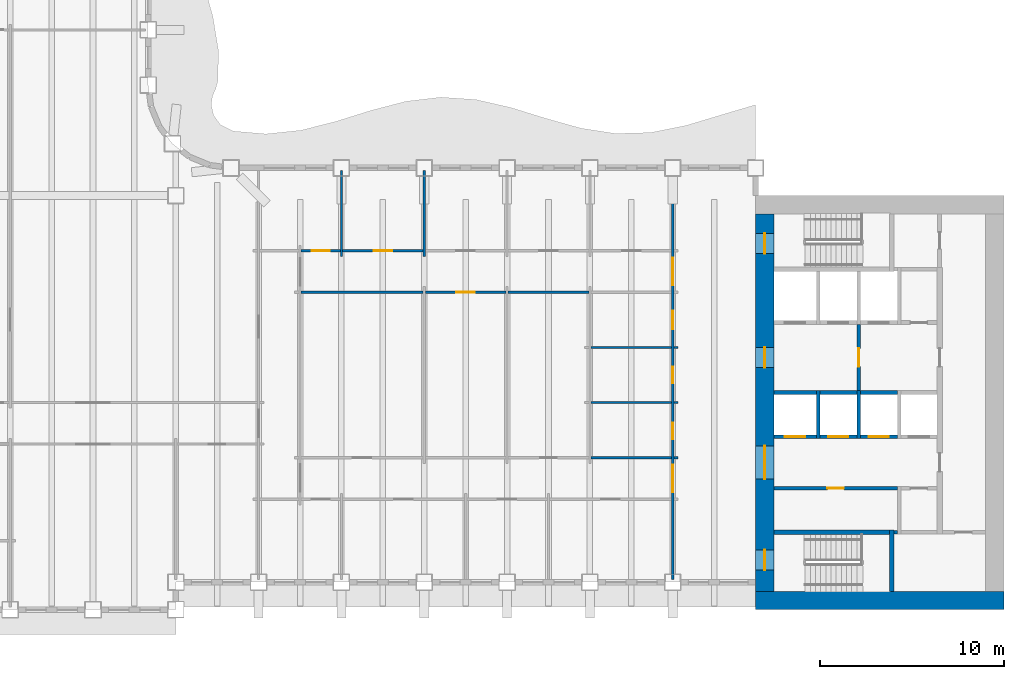
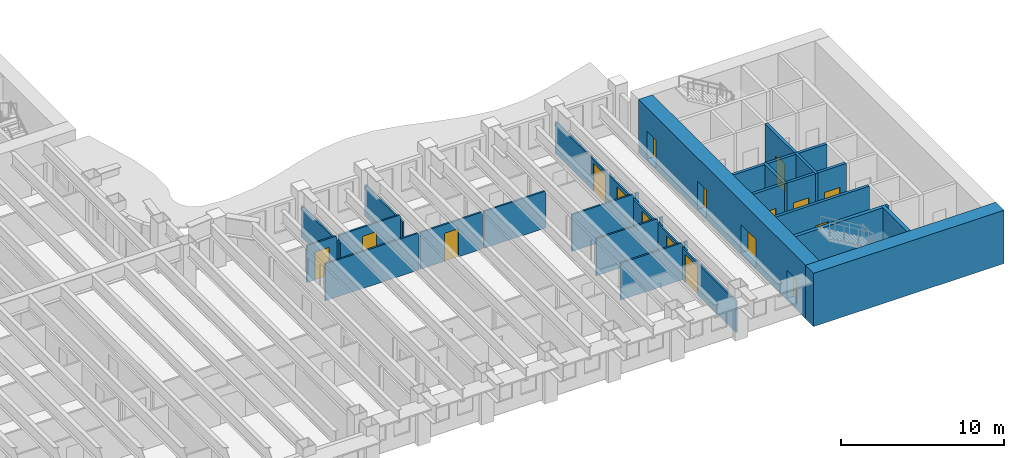
# One storey, part 6 of 16: 29 walls, 17 doors, 17 openings.
"""IFC4 building model written with IfcOpenShell, lengths in metres."""

from ifc_helpers import new_model, si_unit, direction, frame, frame_2d, origin, place, context, subcontext, project, spatial, rectangle, extrude, material, layer, layer_set, type_object, element, fill, save


model = new_model("IFC4")

# Units and contexts
model_context = context("Model", 3, precision=1e-05, world=origin(), true_north=direction((0.0, 1.0)))
body_context = subcontext(model_context, "Body", "Model", "MODEL_VIEW")
ifc_project = project(units=[si_unit("LENGTHUNIT", "METRE"), si_unit("AREAUNIT", "SQUARE_METRE"), si_unit("VOLUMEUNIT", "CUBIC_METRE"), si_unit("PLANEANGLEUNIT", "RADIAN"), si_unit("MASSUNIT", "GRAM", prefix="KILO")], contexts=[model_context])

# Site, building, storey
site_placement = place(None, origin())
site = spatial("IfcSite", under=ifc_project, at=site_placement, CompositionType="ELEMENT")
building_placement = place(site_placement, origin())
building = spatial("IfcBuilding", under=site, at=building_placement, Name="Sennacour Bend Tower", CompositionType="ELEMENT")
storey_placement = place(building_placement, frame((0.0, 0.0, 183.0)))
storey = spatial("IfcBuildingStorey", under=building, at=storey_placement, Name="L42", CompositionType="ELEMENT", Elevation=183.0)

# Wall
ifc_material_1 = material(Name="Concrete C60/75", Category="concrete")
ifc_layer_1 = layer(ifc_material_1, 1.0, Name="Concrete C60/75", Category="concrete")
ifc_layer_set_1 = layer_set([ifc_layer_1], Name="Concrete C60/75")
wall_type_1 = type_object("IfcWallType", Name="Core wall 1000 C60/75", PredefinedType="SHEAR", material=ifc_layer_set_1)
wall_1_placement = place(storey_placement, frame((67.5, 0.5, -0.14990234375), z_axis=(0.0, 0.0, 1.0), x_axis=(-1.0, 0.0, 0.0)))
element("IfcWall", 1, at=wall_1_placement, inside=storey, type_object=wall_type_1, Name="Core A wall L42 S", PredefinedType="SHEAR", context=body_context, shape_type="SweptSolid", body=[
    extrude(rectangle(XDim=13.5, YDim=1.0, at=frame_2d((6.75, 0.0))), origin(), (0.0, 0.0, 1.0), 4.0),
])

# Wall, openings, doors
wall_2_placement = place(storey_placement, frame((54.5, 1.0, -0.14990234375), z_axis=(0.0, 0.0, 1.0), x_axis=(0.0, 1.0, 0.0)))
wall_2 = element("IfcWall", 2, at=wall_2_placement, inside=storey, type_object=wall_type_1, Name="Core A wall L42 W", PredefinedType="SHEAR", context=body_context, shape_type="SweptSolid", body=[
    extrude(rectangle(XDim=20.5, YDim=1.0, at=frame_2d((10.25, 0.0))), origin(), (0.0, 0.0, 1.0), 4.0),
])
opening_1_placement = place(wall_2_placement, frame((6.10009765625, 0.0, 0.14990234375)))
opening_1 = element("IfcOpeningElement", 3, at=opening_1_placement, cuts=wall_2, Name="Opening CD", PredefinedType="OPENING", context=body_context, shape_type="SweptSolid", body=[
    extrude(rectangle(XDim=1.800048828125, YDim=2.10009765625, at=frame_2d((0.89990234375, 1.050048828125))), frame((0.0, 0.510009765625, 0.0), z_axis=(0.0, -1.0, 0.0), x_axis=(1.0, 0.0, 0.0)), (0.0, 0.0, 1.0), 1.02001953125),
])
opening_2_placement = place(wall_2_placement, frame((12.14990234375, 0.0, 0.14990234375)))
opening_2 = element("IfcOpeningElement", 4, at=opening_2_placement, cuts=wall_2, Name="Opening FD", PredefinedType="OPENING", context=body_context, shape_type="SweptSolid", body=[
    extrude(rectangle(XDim=1.10009765625, YDim=2.10009765625, at=frame_2d((0.550048828125, 1.050048828125))), frame((0.0, 0.510009765625, 0.0), z_axis=(0.0, -1.0, 0.0), x_axis=(1.0, 0.0, 0.0)), (0.0, 0.0, 1.0), 1.02001953125),
])
opening_3_placement = place(wall_2_placement, frame((1.14990234375, 0.0, 0.14990234375)))
opening_3 = element("IfcOpeningElement", 5, at=opening_3_placement, cuts=wall_2, Name="Opening SD", PredefinedType="OPENING", context=body_context, shape_type="SweptSolid", body=[
    extrude(rectangle(XDim=1.10009765625, YDim=2.10009765625, at=frame_2d((0.550048828125, 1.050048828125))), frame((0.0, 0.510009765625, 0.0), z_axis=(0.0, -1.0, 0.0), x_axis=(1.0, 0.0, 0.0)), (0.0, 0.0, 1.0), 1.02001953125),
])
opening_4_placement = place(wall_2_placement, frame((18.35009765625, 0.0, 0.14990234375)))
opening_4 = element("IfcOpeningElement", 6, at=opening_4_placement, cuts=wall_2, Name="Opening SD", PredefinedType="OPENING", context=body_context, shape_type="SweptSolid", body=[
    extrude(rectangle(XDim=1.10009765625, YDim=2.10009765625, at=frame_2d((0.550048828125, 1.050048828125))), frame((0.0, 0.510009765625, 0.0), z_axis=(0.0, -1.0, 0.0), x_axis=(1.0, 0.0, 0.0)), (0.0, 0.0, 1.0), 1.02001953125),
])
ifc_material_2 = material(Name="Painted steel", Category="steel")
door_type_1 = type_object("IfcDoorType", Name="DR-FFL-1100", OperationType="NOTDEFINED", PredefinedType="DOOR", material=ifc_material_2)
door_1_placement = place(opening_2_placement, origin())
door_1 = element("IfcDoor", 7, at=door_1_placement, inside=storey, type_object=door_type_1, Name="Door", OperationType="SINGLE_SWING_RIGHT", OverallHeight=2.10009765625, OverallWidth=1.10009765625, PredefinedType="DOOR", context=body_context, shape_type="SweptSolid", body=[
    extrude(rectangle(XDim=1.10009765625, YDim=2.10009765625, at=frame_2d((0.550048828125, 1.050048828125))), frame((0.0, 0.02490234375, 0.0), z_axis=(0.0, -1.0, 0.0), x_axis=(1.0, 0.0, 0.0)), (0.0, 0.0, 1.0), 0.050048828125),
])
fill(opening_2, door_1)
door_type_2 = type_object("IfcDoorType", Name="DR-LOBBY-1800", OperationType="NOTDEFINED", PredefinedType="DOOR", material=ifc_material_2)
door_2_placement = place(opening_1_placement, origin())
door_2 = element("IfcDoor", 8, at=door_2_placement, inside=storey, type_object=door_type_2, Name="Door", OperationType="DOUBLE_DOOR_SINGLE_SWING", OverallHeight=2.10009765625, OverallWidth=1.800048828125, PredefinedType="DOOR", context=body_context, shape_type="SweptSolid", body=[
    extrude(rectangle(XDim=1.800048828125, YDim=2.10009765625, at=frame_2d((0.89990234375, 1.050048828125))), frame((0.0, 0.02490234375, 0.0), z_axis=(0.0, -1.0, 0.0), x_axis=(1.0, 0.0, 0.0)), (0.0, 0.0, 1.0), 0.050048828125),
])
fill(opening_1, door_2)
door_type_3 = type_object("IfcDoorType", Name="DR-STAIR-1100", OperationType="NOTDEFINED", PredefinedType="DOOR", material=ifc_material_2)
door_3_placement = place(opening_3_placement, origin())
door_3 = element("IfcDoor", 9, at=door_3_placement, inside=storey, type_object=door_type_3, Name="Door", OperationType="SINGLE_SWING_LEFT", OverallHeight=2.10009765625, OverallWidth=1.10009765625, PredefinedType="DOOR", context=body_context, shape_type="SweptSolid", body=[
    extrude(rectangle(XDim=1.10009765625, YDim=2.10009765625, at=frame_2d((0.550048828125, 1.050048828125))), frame((0.0, 0.02490234375, 0.0), z_axis=(0.0, -1.0, 0.0), x_axis=(1.0, 0.0, 0.0)), (0.0, 0.0, 1.0), 0.050048828125),
])
fill(opening_3, door_3)
door_4_placement = place(opening_4_placement, origin())
door_4 = element("IfcDoor", 10, at=door_4_placement, inside=storey, type_object=door_type_3, Name="Door", OperationType="SINGLE_SWING_RIGHT", OverallHeight=2.10009765625, OverallWidth=1.10009765625, PredefinedType="DOOR", context=body_context, shape_type="SweptSolid", body=[
    extrude(rectangle(XDim=1.10009765625, YDim=2.10009765625, at=frame_2d((0.550048828125, 1.050048828125))), frame((0.0, 0.02490234375, 0.0), z_axis=(0.0, -1.0, 0.0), x_axis=(1.0, 0.0, 0.0)), (0.0, 0.0, 1.0), 0.050048828125),
])
fill(opening_4, door_4)

# Walls
ifc_material_3 = material(Name="Plasterboard partition on steel studs", Category="steel")
ifc_layer_2 = layer(ifc_material_3, 0.1201171875, Name="Plasterboard partition on steel studs", Category="steel")
ifc_layer_set_2 = layer_set([ifc_layer_2], Name="Plasterboard partition on steel studs")
wall_type_2 = type_object("IfcWallType", Name="Partition 120", PredefinedType="PARTITIONING", material=ifc_layer_set_2)
for number, where, z_axis, x_axis, name in (
    (11, (31.5, 19.199951171875, 0.0), (0.0, 0.0, 1.0), (0.0, 1.0, 0.0), "P-L42-W025a"),
    (12, (36.0, 19.199951171875, 0.0), (0.0, 0.0, 1.0), (0.0, 1.0, 0.0), "P-L42-W027a"),
):
    element("IfcWall", number, at=place(storey_placement, frame(where, z_axis=z_axis, x_axis=x_axis)), inside=storey, type_object=wall_type_2, Name=name, PredefinedType="PARTITIONING", context=body_context, shape_type="SweptSolid", body=[
        extrude(rectangle(XDim=4.650146484375, YDim=0.1201171875, at=frame_2d((2.3251953125, 0.0))), origin(), (0.0, 0.0, 1.0), 2.35009765625),
    ])
wall_3_placement = place(storey_placement, frame((45.06005859375, 8.25, 0.0), z_axis=(0.0, 0.0, 1.0), x_axis=(1.0, 0.0, 0.0)))
element("IfcWall", 13, at=wall_3_placement, inside=storey, type_object=wall_type_2, Name="P-L42-W058ae", PredefinedType="PARTITIONING", context=body_context, shape_type="SweptSolid", body=[
    extrude(rectangle(XDim=4.3798828125, YDim=0.1201171875, at=frame_2d((2.18994140625, 0.0))), origin(), (0.0, 0.0, 1.0), 2.77001953125),
])
wall_4_placement = place(storey_placement, frame((49.56005859375, 8.25, 0.0), z_axis=(0.0, 0.0, 1.0), x_axis=(1.0, 0.0, 0.0)))
element("IfcWall", 14, at=wall_4_placement, inside=storey, type_object=wall_type_2, Name="P-L42-W058af", PredefinedType="PARTITIONING", context=body_context, shape_type="SweptSolid", body=[
    extrude(rectangle(XDim=0.239990234375, YDim=0.1201171875, at=frame_2d((0.1201171875, 0.0))), origin(), (0.0, 0.0, 1.0), 2.77001953125),
])
wall_5_placement = place(storey_placement, frame((45.06005859375, 11.25, 0.0), z_axis=(0.0, 0.0, 1.0), x_axis=(1.0, 0.0, 0.0)))
element("IfcWall", 15, at=wall_5_placement, inside=storey, type_object=wall_type_2, Name="P-L42-W062ab", PredefinedType="PARTITIONING", context=body_context, shape_type="SweptSolid", body=[
    extrude(rectangle(XDim=4.3798828125, YDim=0.1201171875, at=frame_2d((2.18994140625, 0.0))), origin(), (0.0, 0.0, 1.0), 2.77001953125),
])
wall_6_placement = place(storey_placement, frame((49.56005859375, 11.25, 0.0), z_axis=(0.0, 0.0, 1.0), x_axis=(1.0, 0.0, 0.0)))
element("IfcWall", 16, at=wall_6_placement, inside=storey, type_object=wall_type_2, Name="P-L42-W062ac", PredefinedType="PARTITIONING", context=body_context, shape_type="SweptSolid", body=[
    extrude(rectangle(XDim=0.239990234375, YDim=0.1201171875, at=frame_2d((0.1201171875, 0.0))), origin(), (0.0, 0.0, 1.0), 2.77001953125),
])
wall_7_placement = place(storey_placement, frame((45.06005859375, 14.25, 0.0), z_axis=(0.0, 0.0, 1.0), x_axis=(1.0, 0.0, 0.0)))
element("IfcWall", 17, at=wall_7_placement, inside=storey, type_object=wall_type_2, Name="P-L42-W064ab", PredefinedType="PARTITIONING", context=body_context, shape_type="SweptSolid", body=[
    extrude(rectangle(XDim=4.3798828125, YDim=0.1201171875, at=frame_2d((2.18994140625, 0.0))), origin(), (0.0, 0.0, 1.0), 2.77001953125),
])
wall_8_placement = place(storey_placement, frame((49.56005859375, 14.25, 0.0), z_axis=(0.0, 0.0, 1.0), x_axis=(1.0, 0.0, 0.0)))
element("IfcWall", 18, at=wall_8_placement, inside=storey, type_object=wall_type_2, Name="P-L42-W064ac", PredefinedType="PARTITIONING", context=body_context, shape_type="SweptSolid", body=[
    extrude(rectangle(XDim=0.239990234375, YDim=0.1201171875, at=frame_2d((0.1201171875, 0.0))), origin(), (0.0, 0.0, 1.0), 2.77001953125),
])
wall_9_placement = place(storey_placement, frame((29.31005859375, 17.25, 0.0), z_axis=(0.0, 0.0, 1.0), x_axis=(1.0, 0.0, 0.0)))
element("IfcWall", 19, at=wall_9_placement, inside=storey, type_object=wall_type_2, Name="P-L42-W068ab", PredefinedType="PARTITIONING", context=body_context, shape_type="SweptSolid", body=[
    extrude(rectangle(XDim=6.6298828125, YDim=0.1201171875, at=frame_2d((3.31494140625, 0.0))), origin(), (0.0, 0.0, 1.0), 2.77001953125),
])

# Wall, opening, door
wall_10_placement = place(storey_placement, frame((36.06005859375, 17.25, 0.0), z_axis=(0.0, 0.0, 1.0), x_axis=(1.0, 0.0, 0.0)))
wall_10 = element("IfcWall", 20, at=wall_10_placement, inside=storey, type_object=wall_type_2, Name="P-L42-W068ac", PredefinedType="PARTITIONING", context=body_context, shape_type="SweptSolid", body=[
    extrude(rectangle(XDim=4.3798828125, YDim=0.1201171875, at=frame_2d((2.18994140625, 0.0))), origin(), (0.0, 0.0, 1.0), 2.77001953125),
])
opening_5_placement = place(wall_10_placement, frame((1.68994140625, 0.0, 0.0)))
opening_5 = element("IfcOpeningElement", 21, at=opening_5_placement, cuts=wall_10, Name="Opening OD2", PredefinedType="OPENING", context=body_context, shape_type="SweptSolid", body=[
    extrude(rectangle(XDim=1.0, YDim=2.10009765625, at=frame_2d((0.5, 1.050048828125))), frame((0.0, 0.070068359375, 0.0), z_axis=(0.0, -1.0, 0.0), x_axis=(1.0, 0.0, 0.0)), (0.0, 0.0, 1.0), 0.14013671875),
])
ifc_material_4 = material(Name="Timber", Category="wood")
door_type_4 = type_object("IfcDoorType", Name="DR-OFFICE-1000", OperationType="NOTDEFINED", PredefinedType="DOOR", material=ifc_material_4)
door_5_placement = place(opening_5_placement, origin())
door_5 = element("IfcDoor", 22, at=door_5_placement, inside=storey, type_object=door_type_4, Name="Door", OperationType="SINGLE_SWING_LEFT", OverallHeight=2.10009765625, OverallWidth=1.0, PredefinedType="DOOR", context=body_context, shape_type="SweptSolid", body=[
    extrude(rectangle(XDim=1.0, YDim=2.10009765625, at=frame_2d((0.5, 1.050048828125))), frame((0.0, 0.02490234375, 0.0), z_axis=(0.0, -1.0, 0.0), x_axis=(1.0, 0.0, 0.0)), (0.0, 0.0, 1.0), 0.050048828125),
])
fill(opening_5, door_5)

# Wall
wall_11_placement = place(storey_placement, frame((40.56005859375, 17.25, 0.0), z_axis=(0.0, 0.0, 1.0), x_axis=(1.0, 0.0, 0.0)))
element("IfcWall", 23, at=wall_11_placement, inside=storey, type_object=wall_type_2, Name="P-L42-W068ad", PredefinedType="PARTITIONING", context=body_context, shape_type="SweptSolid", body=[
    extrude(rectangle(XDim=4.3798828125, YDim=0.1201171875, at=frame_2d((2.18994140625, 0.0))), origin(), (0.0, 0.0, 1.0), 2.77001953125),
])

# Wall, opening, door
wall_12_placement = place(storey_placement, frame((29.31005859375, 19.5, 0.0), z_axis=(0.0, 0.0, 1.0), x_axis=(1.0, 0.0, 0.0)))
wall_12 = element("IfcWall", 24, at=wall_12_placement, inside=storey, type_object=wall_type_2, Name="P-L42-W072ac", PredefinedType="PARTITIONING", context=body_context, shape_type="SweptSolid", body=[
    extrude(rectangle(XDim=2.1298828125, YDim=0.1201171875, at=frame_2d((1.06494140625, 0.0))), origin(), (0.0, 0.0, 1.0), 2.77001953125),
])
opening_6_placement = place(wall_12_placement, frame((0.56494140625, 0.0, 0.0)))
opening_6 = element("IfcOpeningElement", 25, at=opening_6_placement, cuts=wall_12, Name="Opening OD2", PredefinedType="OPENING", context=body_context, shape_type="SweptSolid", body=[
    extrude(rectangle(XDim=1.0, YDim=2.10009765625, at=frame_2d((0.5, 1.050048828125))), frame((0.0, 0.070068359375, 0.0), z_axis=(0.0, -1.0, 0.0), x_axis=(1.0, 0.0, 0.0)), (0.0, 0.0, 1.0), 0.14013671875),
])
door_6_placement = place(opening_6_placement, origin())
door_6 = element("IfcDoor", 26, at=door_6_placement, inside=storey, type_object=door_type_4, Name="Door", OperationType="SINGLE_SWING_LEFT", OverallHeight=2.10009765625, OverallWidth=1.0, PredefinedType="DOOR", context=body_context, shape_type="SweptSolid", body=[
    extrude(rectangle(XDim=1.0, YDim=2.10009765625, at=frame_2d((0.5, 1.050048828125))), frame((0.0, 0.02490234375, 0.0), z_axis=(0.0, -1.0, 0.0), x_axis=(1.0, 0.0, 0.0)), (0.0, 0.0, 1.0), 0.050048828125),
])
fill(opening_6, door_6)

wall_13_placement = place(storey_placement, frame((31.56005859375, 19.5, 0.0), z_axis=(0.0, 0.0, 1.0), x_axis=(1.0, 0.0, 0.0)))
wall_13 = element("IfcWall", 27, at=wall_13_placement, inside=storey, type_object=wall_type_2, Name="P-L42-W072ad", PredefinedType="PARTITIONING", context=body_context, shape_type="SweptSolid", body=[
    extrude(rectangle(XDim=4.3798828125, YDim=0.1201171875, at=frame_2d((2.18994140625, 0.0))), origin(), (0.0, 0.0, 1.0), 2.77001953125),
])
opening_7_placement = place(wall_13_placement, frame((1.68994140625, 0.0, 0.0)))
opening_7 = element("IfcOpeningElement", 28, at=opening_7_placement, cuts=wall_13, Name="Opening OD2", PredefinedType="OPENING", context=body_context, shape_type="SweptSolid", body=[
    extrude(rectangle(XDim=1.0, YDim=2.10009765625, at=frame_2d((0.5, 1.050048828125))), frame((0.0, 0.070068359375, 0.0), z_axis=(0.0, -1.0, 0.0), x_axis=(1.0, 0.0, 0.0)), (0.0, 0.0, 1.0), 0.14013671875),
])
door_7_placement = place(opening_7_placement, origin())
door_7 = element("IfcDoor", 29, at=door_7_placement, inside=storey, type_object=door_type_4, Name="Door", OperationType="SINGLE_SWING_LEFT", OverallHeight=2.10009765625, OverallWidth=1.0, PredefinedType="DOOR", context=body_context, shape_type="SweptSolid", body=[
    extrude(rectangle(XDim=1.0, YDim=2.10009765625, at=frame_2d((0.5, 1.050048828125))), frame((0.0, 0.02490234375, 0.0), z_axis=(0.0, -1.0, 0.0), x_axis=(1.0, 0.0, 0.0)), (0.0, 0.0, 1.0), 0.050048828125),
])
fill(opening_7, door_7)

# Wall, openings, doors
ifc_layer_3 = layer(ifc_material_3, 0.1201171875, Name="Plasterboard partition on steel studs", Category="steel")
ifc_layer_set_3 = layer_set([ifc_layer_3], Name="Plasterboard partition on steel studs")
wall_type_3 = type_object("IfcWallType", Name="Partition 120 EI 30", PredefinedType="PARTITIONING", material=ifc_layer_set_3)
wall_14_placement = place(storey_placement, frame((49.5, 1.64990234375, 0.0), z_axis=(0.0, 0.0, 1.0), x_axis=(0.0, 1.0, 0.0)))
wall_14 = element("IfcWall", 30, at=wall_14_placement, inside=storey, type_object=wall_type_3, Name="P-L42-W034a", PredefinedType="PARTITIONING", context=body_context, shape_type="SweptSolid", body=[
    extrude(rectangle(XDim=22.2001953125, YDim=0.1201171875, at=frame_2d((11.10009765625, 0.0))), origin(), (0.0, 0.0, 1.0), 2.35009765625),
])
opening_8_placement = place(wall_14_placement, frame((4.72509765625, 0.0, 0.0)))
opening_8 = element("IfcOpeningElement", 31, at=opening_8_placement, cuts=wall_14, Name="Opening KD", PredefinedType="OPENING", context=body_context, shape_type="SweptSolid", body=[
    extrude(rectangle(XDim=1.5, YDim=2.10009765625, at=frame_2d((0.75, 1.050048828125))), frame((0.0, 0.070068359375, 0.0), z_axis=(0.0, -1.0, 0.0), x_axis=(1.0, 0.0, 0.0)), (0.0, 0.0, 1.0), 0.14013671875),
])
opening_9_placement = place(wall_14_placement, frame((15.97509765625, 0.0, 0.0)))
opening_9 = element("IfcOpeningElement", 32, at=opening_9_placement, cuts=wall_14, Name="Opening KD", PredefinedType="OPENING", context=body_context, shape_type="SweptSolid", body=[
    extrude(rectangle(XDim=1.5, YDim=2.10009765625, at=frame_2d((0.75, 1.050048828125))), frame((0.0, 0.070068359375, 0.0), z_axis=(0.0, -1.0, 0.0), x_axis=(1.0, 0.0, 0.0)), (0.0, 0.0, 1.0), 0.14013671875),
])
opening_10_placement = place(wall_14_placement, frame((7.60009765625, 0.0, 0.0)))
opening_10 = element("IfcOpeningElement", 33, at=opening_10_placement, cuts=wall_14, Name="Opening WD", PredefinedType="OPENING", context=body_context, shape_type="SweptSolid", body=[
    extrude(rectangle(XDim=0.89990234375, YDim=2.10009765625, at=frame_2d((0.449951171875, 1.050048828125))), frame((0.0, 0.070068359375, 0.0), z_axis=(0.0, -1.0, 0.0), x_axis=(1.0, 0.0, 0.0)), (0.0, 0.0, 1.0), 0.14013671875),
])
opening_11_placement = place(wall_14_placement, frame((10.650146484375, 0.0, 0.0)))
opening_11 = element("IfcOpeningElement", 34, at=opening_11_placement, cuts=wall_14, Name="Opening WD", PredefinedType="OPENING", context=body_context, shape_type="SweptSolid", body=[
    extrude(rectangle(XDim=0.89990234375, YDim=2.10009765625, at=frame_2d((0.449951171875, 1.050048828125))), frame((0.0, 0.070068359375, 0.0), z_axis=(0.0, -1.0, 0.0), x_axis=(1.0, 0.0, 0.0)), (0.0, 0.0, 1.0), 0.14013671875),
])
opening_12_placement = place(wall_14_placement, frame((13.60009765625, 0.0, 0.0)))
opening_12 = element("IfcOpeningElement", 35, at=opening_12_placement, cuts=wall_14, Name="Opening AD", PredefinedType="OPENING", context=body_context, shape_type="SweptSolid", body=[
    extrude(rectangle(XDim=1.0, YDim=2.10009765625, at=frame_2d((0.5, 1.050048828125))), frame((0.0, 0.070068359375, 0.0), z_axis=(0.0, -1.0, 0.0), x_axis=(1.0, 0.0, 0.0)), (0.0, 0.0, 1.0), 0.14013671875),
])
door_type_5 = type_object("IfcDoorType", Name="DR-ACC-WC-1000", OperationType="NOTDEFINED", PredefinedType="DOOR", material=ifc_material_4)
door_8_placement = place(opening_12_placement, origin())
door_8 = element("IfcDoor", 36, at=door_8_placement, inside=storey, type_object=door_type_5, Name="Door", OperationType="SINGLE_SWING_RIGHT", OverallHeight=2.10009765625, OverallWidth=1.0, PredefinedType="DOOR", context=body_context, shape_type="SweptSolid", body=[
    extrude(rectangle(XDim=1.0, YDim=2.10009765625, at=frame_2d((0.5, 1.050048828125))), frame((0.0, 0.02490234375, 0.0), z_axis=(0.0, -1.0, 0.0), x_axis=(1.0, 0.0, 0.0)), (0.0, 0.0, 1.0), 0.050048828125),
])
fill(opening_12, door_8)
door_type_6 = type_object("IfcDoorType", Name="DR-CORRIDOR-1500", OperationType="NOTDEFINED", PredefinedType="DOOR", material=ifc_material_2)
door_9_placement = place(opening_8_placement, origin())
door_9 = element("IfcDoor", 37, at=door_9_placement, inside=storey, type_object=door_type_6, Name="Door", OperationType="SINGLE_SWING_LEFT", OverallHeight=2.10009765625, OverallWidth=1.5, PredefinedType="DOOR", context=body_context, shape_type="SweptSolid", body=[
    extrude(rectangle(XDim=1.5, YDim=2.10009765625, at=frame_2d((0.75, 1.050048828125))), frame((0.0, 0.02490234375, 0.0), z_axis=(0.0, -1.0, 0.0), x_axis=(1.0, 0.0, 0.0)), (0.0, 0.0, 1.0), 0.050048828125),
])
fill(opening_8, door_9)
door_10_placement = place(opening_9_placement, origin())
door_10 = element("IfcDoor", 38, at=door_10_placement, inside=storey, type_object=door_type_6, Name="Door", OperationType="SINGLE_SWING_RIGHT", OverallHeight=2.10009765625, OverallWidth=1.5, PredefinedType="DOOR", context=body_context, shape_type="SweptSolid", body=[
    extrude(rectangle(XDim=1.5, YDim=2.10009765625, at=frame_2d((0.75, 1.050048828125))), frame((0.0, 0.02490234375, 0.0), z_axis=(0.0, -1.0, 0.0), x_axis=(1.0, 0.0, 0.0)), (0.0, 0.0, 1.0), 0.050048828125),
])
fill(opening_9, door_10)
door_type_7 = type_object("IfcDoorType", Name="DR-WC-900", OperationType="NOTDEFINED", PredefinedType="DOOR", material=ifc_material_4)
door_11_placement = place(opening_10_placement, origin())
door_11 = element("IfcDoor", 39, at=door_11_placement, inside=storey, type_object=door_type_7, Name="Door", OperationType="SINGLE_SWING_LEFT", OverallHeight=2.10009765625, OverallWidth=0.89990234375, PredefinedType="DOOR", context=body_context, shape_type="SweptSolid", body=[
    extrude(rectangle(XDim=0.89990234375, YDim=2.10009765625, at=frame_2d((0.449951171875, 1.050048828125))), frame((0.0, 0.02490234375, 0.0), z_axis=(0.0, -1.0, 0.0), x_axis=(1.0, 0.0, 0.0)), (0.0, 0.0, 1.0), 0.050048828125),
])
fill(opening_10, door_11)
door_12_placement = place(opening_11_placement, origin())
door_12 = element("IfcDoor", 40, at=door_12_placement, inside=storey, type_object=door_type_7, Name="Door", OperationType="SINGLE_SWING_RIGHT", OverallHeight=2.10009765625, OverallWidth=0.89990234375, PredefinedType="DOOR", context=body_context, shape_type="SweptSolid", body=[
    extrude(rectangle(XDim=0.89990234375, YDim=2.10009765625, at=frame_2d((0.449951171875, 1.050048828125))), frame((0.0, 0.02490234375, 0.0), z_axis=(0.0, -1.0, 0.0), x_axis=(1.0, 0.0, 0.0)), (0.0, 0.0, 1.0), 0.050048828125),
])
fill(opening_11, door_12)

# Wall
ifc_material_5 = material(Name="Fire-rated plasterboard partition on steel studs", Category="steel")
ifc_layer_4 = layer(ifc_material_5, 0.199951171875, Name="Fire-rated plasterboard partition on steel studs", Category="steel")
ifc_layer_set_4 = layer_set([ifc_layer_4], Name="Fire-rated plasterboard partition on steel studs")
wall_type_4 = type_object("IfcWallType", Name="Rated partition 200", PredefinedType="PARTITIONING", material=ifc_layer_set_4)
wall_15_placement = place(storey_placement, frame((61.52490234375, 4.199951171875, 0.0), z_axis=(0.0, 0.0, 1.0), x_axis=(1.0, 0.0, 0.0)))
element("IfcWall", 41, at=wall_15_placement, inside=storey, type_object=wall_type_4, Name="P-L42-W055a", PredefinedType="PARTITIONING", context=body_context, shape_type="SweptSolid", body=[
    extrude(rectangle(XDim=0.175048828125, YDim=0.199951171875, at=frame_2d((0.08740234375, 0.0))), origin(), (0.0, 0.0, 1.0), 3.75),
])

# Wall, opening, door
wall_16_placement = place(storey_placement, frame((55.0, 6.60009765625, 0.0), z_axis=(0.0, 0.0, 1.0), x_axis=(1.0, 0.0, 0.0)))
wall_16 = element("IfcWall", 42, at=wall_16_placement, inside=storey, type_object=wall_type_4, Name="P-L42-W057a", PredefinedType="PARTITIONING", context=body_context, shape_type="SweptSolid", body=[
    extrude(rectangle(XDim=6.699951171875, YDim=0.199951171875, at=frame_2d((3.35009765625, 0.0))), origin(), (0.0, 0.0, 1.0), 3.75),
])
opening_13_placement = place(wall_16_placement, frame((2.89990234375, 0.0, 0.0)))
opening_13 = element("IfcOpeningElement", 43, at=opening_13_placement, cuts=wall_16, Name="Opening SV", PredefinedType="OPENING", context=body_context, shape_type="SweptSolid", body=[
    extrude(rectangle(XDim=0.89990234375, YDim=2.10009765625, at=frame_2d((0.449951171875, 1.050048828125))), frame((0.0, 0.10986328125, 0.0), z_axis=(0.0, -1.0, 0.0), x_axis=(1.0, 0.0, 0.0)), (0.0, 0.0, 1.0), 0.219970703125),
])
door_type_8 = type_object("IfcDoorType", Name="DR-SERVICE-900", OperationType="NOTDEFINED", PredefinedType="DOOR", material=ifc_material_2)
door_13_placement = place(opening_13_placement, origin())
door_13 = element("IfcDoor", 44, at=door_13_placement, inside=storey, type_object=door_type_8, Name="Door", OperationType="SINGLE_SWING_LEFT", OverallHeight=2.10009765625, OverallWidth=0.89990234375, PredefinedType="DOOR", context=body_context, shape_type="SweptSolid", body=[
    extrude(rectangle(XDim=0.89990234375, YDim=2.10009765625, at=frame_2d((0.449951171875, 1.050048828125))), frame((0.0, 0.02490234375, 0.0), z_axis=(0.0, -1.0, 0.0), x_axis=(1.0, 0.0, 0.0)), (0.0, 0.0, 1.0), 0.050048828125),
])
fill(opening_13, door_13)

ifc_layer_5 = layer(ifc_material_5, 0.199951171875, Name="Fire-rated plasterboard partition on steel studs", Category="steel")
ifc_layer_set_5 = layer_set([ifc_layer_5], Name="Fire-rated plasterboard partition on steel studs")
wall_type_5 = type_object("IfcWallType", Name="Rated partition 200 EI 90", PredefinedType="PARTITIONING", material=ifc_layer_set_5)
wall_17_placement = place(storey_placement, frame((59.60009765625, 11.89990234375, 0.0), z_axis=(0.0, 0.0, 1.0), x_axis=(0.0, 1.0, 0.0)))
wall_17 = element("IfcWall", 45, at=wall_17_placement, inside=storey, type_object=wall_type_5, Name="P-L42-W039", PredefinedType="PARTITIONING", context=body_context, shape_type="SweptSolid", body=[
    extrude(rectangle(XDim=3.60009765625, YDim=0.199951171875, at=frame_2d((1.800048828125, 0.0))), origin(), (0.0, 0.0, 1.0), 3.75),
])
opening_14_placement = place(wall_17_placement, frame((1.300048828125, 0.0, 0.0)))
opening_14 = element("IfcOpeningElement", 46, at=opening_14_placement, cuts=wall_17, Name="Opening FD2", PredefinedType="OPENING", context=body_context, shape_type="SweptSolid", body=[
    extrude(rectangle(XDim=1.0, YDim=2.10009765625, at=frame_2d((0.5, 1.050048828125))), frame((0.0, 0.10986328125, 0.0), z_axis=(0.0, -1.0, 0.0), x_axis=(1.0, 0.0, 0.0)), (0.0, 0.0, 1.0), 0.219970703125),
])
door_type_9 = type_object("IfcDoorType", Name="DR-FFL-1000", OperationType="NOTDEFINED", PredefinedType="DOOR", material=ifc_material_2)
door_14_placement = place(opening_14_placement, origin())
door_14 = element("IfcDoor", 47, at=door_14_placement, inside=storey, type_object=door_type_9, Name="Door", OperationType="SINGLE_SWING_LEFT", OverallHeight=2.10009765625, OverallWidth=1.0, PredefinedType="DOOR", context=body_context, shape_type="SweptSolid", body=[
    extrude(rectangle(XDim=1.0, YDim=2.10009765625, at=frame_2d((0.5, 1.050048828125))), frame((0.0, 0.02490234375, 0.0), z_axis=(0.0, -1.0, 0.0), x_axis=(1.0, 0.0, 0.0)), (0.0, 0.0, 1.0), 0.050048828125),
])
fill(opening_14, door_14)

# Walls
ifc_material_6 = material(Name="Concrete C50/60", Category="concrete")
ifc_layer_6 = layer(ifc_material_6, 0.199951171875, Name="Concrete C50/60", Category="concrete")
ifc_layer_set_6 = layer_set([ifc_layer_6], Name="Concrete C50/60")
wall_type_6 = type_object("IfcWallType", Name="Shaft wall 200", PredefinedType="SOLIDWALL", material=ifc_layer_set_6)
for number, where, z_axis, x_axis, name in (
    (48, (57.39990234375, 9.300048828125, 0.0), (0.0, 0.0, 1.0), (0.0, 1.0, 0.0), "P-L42-W036"),
    (49, (59.60009765625, 9.300048828125, 0.0), (0.0, 0.0, 1.0), (0.0, 1.0, 0.0), "P-L42-W038"),
):
    element("IfcWall", number, at=place(storey_placement, frame(where, z_axis=z_axis, x_axis=x_axis)), inside=storey, type_object=wall_type_6, Name=name, PredefinedType="SOLIDWALL", context=body_context, shape_type="SweptSolid", body=[
        extrude(rectangle(XDim=2.599853515625, YDim=0.199951171875, at=frame_2d((1.2998046875, 0.0))), origin(), (0.0, 0.0, 1.0), 3.75),
    ])

# Wall, opening, door
wall_18_placement = place(storey_placement, frame((55.0, 9.39990234375, 0.0), z_axis=(0.0, 0.0, 1.0), x_axis=(1.0, 0.0, 0.0)))
wall_18 = element("IfcWall", 50, at=wall_18_placement, inside=storey, type_object=wall_type_6, Name="P-L42-W060a", PredefinedType="SOLIDWALL", context=body_context, shape_type="SweptSolid", body=[
    extrude(rectangle(XDim=2.300048828125, YDim=0.199951171875, at=frame_2d((1.14990234375, 0.0))), origin(), (0.0, 0.0, 1.0), 3.75),
])
opening_15_placement = place(wall_18_placement, frame((0.60009765625, 0.0, 0.011962890625)))
opening_15 = element("IfcOpeningElement", 51, at=opening_15_placement, cuts=wall_18, Name="Opening LD", PredefinedType="OPENING", context=body_context, shape_type="SweptSolid", body=[
    extrude(rectangle(XDim=1.10009765625, YDim=2.10009765625, at=frame_2d((0.550048828125, 1.050048828125))), frame((0.0, 0.10986328125, 0.0), z_axis=(0.0, -1.0, 0.0), x_axis=(1.0, 0.0, 0.0)), (0.0, 0.0, 1.0), 0.219970703125),
])
ifc_material_7 = material(Name="Stainless steel", Category="steel")
door_type_10 = type_object("IfcDoorType", Name="DR-LANDING-1100", OperationType="NOTDEFINED", PredefinedType="DOOR", material=ifc_material_7)
door_15_placement = place(opening_15_placement, origin())
door_15 = element("IfcDoor", 52, at=door_15_placement, inside=storey, type_object=door_type_10, Name="Lift landing door HA1", OperationType="SLIDING_TO_LEFT", OverallHeight=2.10009765625, OverallWidth=1.10009765625, PredefinedType="DOOR", context=body_context, shape_type="SweptSolid", body=[
    extrude(rectangle(XDim=1.10009765625, YDim=2.10009765625, at=frame_2d((0.550048828125, 1.050048828125))), frame((0.0, 0.02490234375, 0.0), z_axis=(0.0, -1.0, 0.0), x_axis=(1.0, 0.0, 0.0)), (0.0, 0.0, 1.0), 0.050048828125),
])
fill(opening_15, door_15)

wall_19_placement = place(storey_placement, frame((57.5, 9.39990234375, 0.0), z_axis=(0.0, 0.0, 1.0), x_axis=(1.0, 0.0, 0.0)))
wall_19 = element("IfcWall", 53, at=wall_19_placement, inside=storey, type_object=wall_type_6, Name="P-L42-W060b", PredefinedType="SOLIDWALL", context=body_context, shape_type="SweptSolid", body=[
    extrude(rectangle(XDim=2.0, YDim=0.199951171875, at=frame_2d((1.0, 0.0))), origin(), (0.0, 0.0, 1.0), 3.75),
])
opening_16_placement = place(wall_19_placement, frame((0.449951171875, 0.0, 0.011962890625)))
opening_16 = element("IfcOpeningElement", 54, at=opening_16_placement, cuts=wall_19, Name="Opening LD", PredefinedType="OPENING", context=body_context, shape_type="SweptSolid", body=[
    extrude(rectangle(XDim=1.10009765625, YDim=2.10009765625, at=frame_2d((0.550048828125, 1.050048828125))), frame((0.0, 0.10986328125, 0.0), z_axis=(0.0, -1.0, 0.0), x_axis=(1.0, 0.0, 0.0)), (0.0, 0.0, 1.0), 0.219970703125),
])
door_16_placement = place(opening_16_placement, origin())
door_16 = element("IfcDoor", 55, at=door_16_placement, inside=storey, type_object=door_type_10, Name="Lift landing door HA2", OperationType="SLIDING_TO_RIGHT", OverallHeight=2.10009765625, OverallWidth=1.10009765625, PredefinedType="DOOR", context=body_context, shape_type="SweptSolid", body=[
    extrude(rectangle(XDim=1.10009765625, YDim=2.10009765625, at=frame_2d((0.550048828125, 1.050048828125))), frame((0.0, 0.02490234375, 0.0), z_axis=(0.0, -1.0, 0.0), x_axis=(1.0, 0.0, 0.0)), (0.0, 0.0, 1.0), 0.050048828125),
])
fill(opening_16, door_16)

wall_20_placement = place(storey_placement, frame((59.699951171875, 9.39990234375, 0.0), z_axis=(0.0, 0.0, 1.0), x_axis=(1.0, 0.0, 0.0)))
wall_20 = element("IfcWall", 56, at=wall_20_placement, inside=storey, type_object=wall_type_6, Name="P-L42-W060c", PredefinedType="SOLIDWALL", context=body_context, shape_type="SweptSolid", body=[
    extrude(rectangle(XDim=2.0, YDim=0.199951171875, at=frame_2d((1.0, 0.0))), origin(), (0.0, 0.0, 1.0), 3.75),
])
opening_17_placement = place(wall_20_placement, frame((0.449951171875, 0.0, 0.011962890625)))
opening_17 = element("IfcOpeningElement", 57, at=opening_17_placement, cuts=wall_20, Name="Opening LD", PredefinedType="OPENING", context=body_context, shape_type="SweptSolid", body=[
    extrude(rectangle(XDim=1.10009765625, YDim=2.10009765625, at=frame_2d((0.550048828125, 1.050048828125))), frame((0.0, 0.10986328125, 0.0), z_axis=(0.0, -1.0, 0.0), x_axis=(1.0, 0.0, 0.0)), (0.0, 0.0, 1.0), 0.219970703125),
])
door_17_placement = place(opening_17_placement, origin())
door_17 = element("IfcDoor", 58, at=door_17_placement, inside=storey, type_object=door_type_10, Name="Lift landing door HA3", OperationType="SLIDING_TO_LEFT", OverallHeight=2.10009765625, OverallWidth=1.10009765625, PredefinedType="DOOR", context=body_context, shape_type="SweptSolid", body=[
    extrude(rectangle(XDim=1.10009765625, YDim=2.10009765625, at=frame_2d((0.550048828125, 1.050048828125))), frame((0.0, 0.02490234375, 0.0), z_axis=(0.0, -1.0, 0.0), x_axis=(1.0, 0.0, 0.0)), (0.0, 0.0, 1.0), 0.050048828125),
])
fill(opening_17, door_17)

# Walls
wall_21_placement = place(storey_placement, frame((55.0, 11.800048828125, 0.0), z_axis=(0.0, 0.0, 1.0), x_axis=(1.0, 0.0, 0.0)))
element("IfcWall", 59, at=wall_21_placement, inside=storey, type_object=wall_type_6, Name="P-L42-W063a", PredefinedType="SOLIDWALL", context=body_context, shape_type="SweptSolid", body=[
    extrude(rectangle(XDim=2.300048828125, YDim=0.199951171875, at=frame_2d((1.14990234375, 0.0))), origin(), (0.0, 0.0, 1.0), 3.75),
])
for number, where, z_axis, x_axis, name in (
    (60, (57.5, 11.800048828125, 0.0), (0.0, 0.0, 1.0), (1.0, 0.0, 0.0), "P-L42-W063b"),
    (61, (59.699951171875, 11.800048828125, 0.0), (0.0, 0.0, 1.0), (1.0, 0.0, 0.0), "P-L42-W063c"),
):
    element("IfcWall", number, at=place(storey_placement, frame(where, z_axis=z_axis, x_axis=x_axis)), inside=storey, type_object=wall_type_6, Name=name, PredefinedType="SOLIDWALL", context=body_context, shape_type="SweptSolid", body=[
        extrude(rectangle(XDim=2.0, YDim=0.199951171875, at=frame_2d((1.0, 0.0))), origin(), (0.0, 0.0, 1.0), 3.75),
    ])
ifc_layer_7 = layer(ifc_material_1, 0.25, Name="Concrete C60/75", Category="concrete")
ifc_layer_set_7 = layer_set([ifc_layer_7], Name="Concrete C60/75")
wall_type_7 = type_object("IfcWallType", Name="Stair wall 250", PredefinedType="SHEAR", material=ifc_layer_set_7)
wall_22_placement = place(storey_placement, frame((61.39990234375, 1.0, 0.0), z_axis=(0.0, 0.0, 1.0), x_axis=(0.0, 1.0, 0.0)))
element("IfcWall", 62, at=wall_22_placement, inside=storey, type_object=wall_type_7, Name="P-L42-W041", PredefinedType="SHEAR", context=body_context, shape_type="SweptSolid", body=[
    extrude(rectangle(XDim=3.324951171875, YDim=0.25, at=frame_2d((1.66259765625, 0.0))), origin(), (0.0, 0.0, 1.0), 3.75),
])
wall_23_placement = place(storey_placement, frame((55.0, 4.199951171875, 0.0), z_axis=(0.0, 0.0, 1.0), x_axis=(1.0, 0.0, 0.0)))
element("IfcWall", 63, at=wall_23_placement, inside=storey, type_object=wall_type_7, Name="P-L42-W054", PredefinedType="SHEAR", context=body_context, shape_type="SweptSolid", body=[
    extrude(rectangle(XDim=6.27490234375, YDim=0.25, at=frame_2d((3.137451171875, 0.0))), origin(), (0.0, 0.0, 1.0), 3.75),
])

save(model, "model.ifc")
